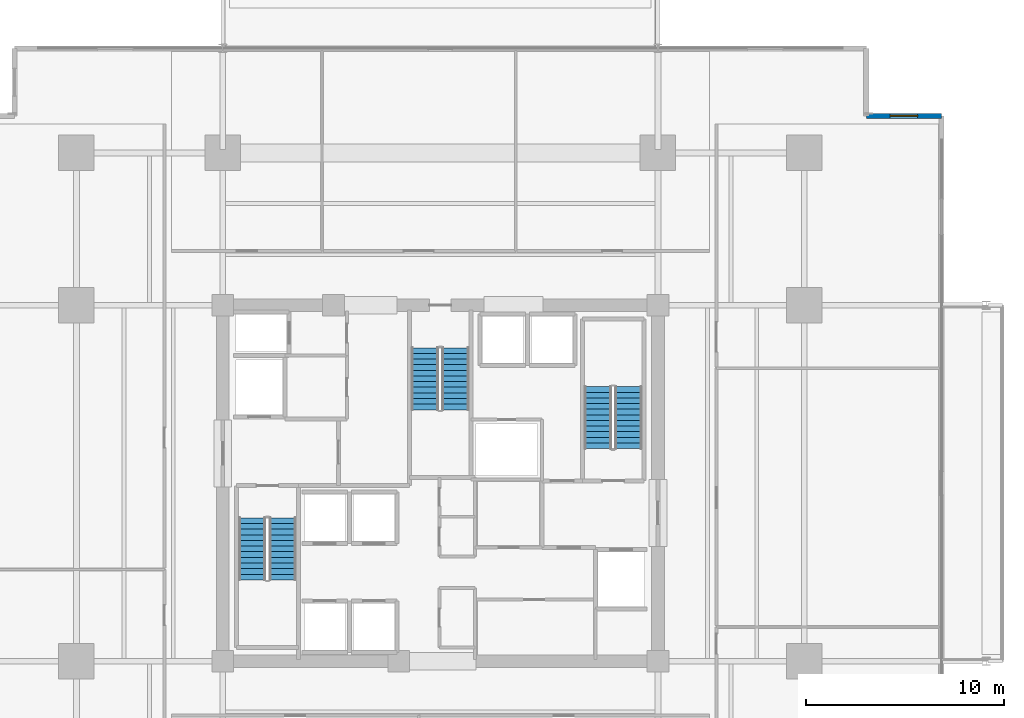
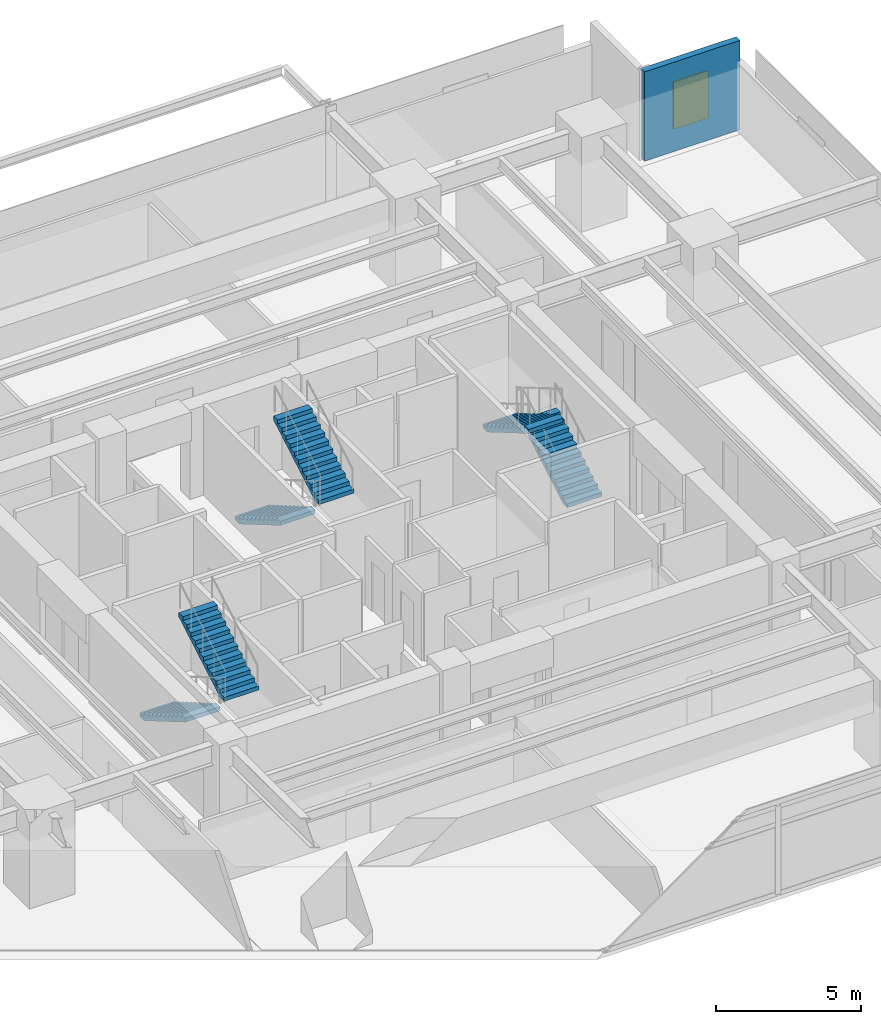
# One storey, part 18 of 22: 6 stair flights, 1 wall, 1 window, 1 opening, 3 elements without a shape of their own.
"""IFC4 building model written with IfcOpenShell, lengths in metres."""

import ifcopenshell
import ifcopenshell.guid

model = None  # the IFC model being written
_history = None  # IfcOwnerHistory: only IFC2X3 demands one
_inside = {}  # id of a spatial element -> (the spatial element, [elements in it])
_under = {}  # id of a project, library or spatial element -> (it, [spatial elements below it])
_declared = {}  # id of a project -> (the project, [libraries it declares])
_typed = {}  # id of a type object -> (the type object, [elements of that type])
_made_of = {}  # id of a material, layer set ... -> (it, [elements and type objects made of it])


def new_model(schema):
    """Start an empty IFC model of exactly this schema.

    Asked for "IFC4X3", IfcOpenShell would pick the latest addendum, in which some entities
    have other attributes; the version numbers below select the first issue.
    IFC2X3 requires an IfcOwnerHistory on every rooted entity: one is made here for all.
    """
    global model, _history
    if schema == "IFC4X3":
        model = ifcopenshell.file(schema_version=(4, 3, 0, 0))
    else:
        model = ifcopenshell.file(schema=schema)
    _inside.clear()
    _under.clear()
    _declared.clear()
    _typed.clear()
    _made_of.clear()
    _history = None
    if model.schema == "IFC2X3":
        org = make("IfcOrganization", Name="unknown")
        user = make(
            "IfcPersonAndOrganization",
            ThePerson=make("IfcPerson", FamilyName="unknown"),
            TheOrganization=org,
        )
        app = make(
            "IfcApplication",
            ApplicationDeveloper=org,
            Version="unknown",
            ApplicationFullName="unknown",
            ApplicationIdentifier="unknown",
        )
        _history = make(
            "IfcOwnerHistory",
            OwningUser=user,
            OwningApplication=app,
            ChangeAction="ADDED",
            CreationDate=0,
        )
    return model


def make(cls, **values):
    """One entity of the class cls with the attributes given. An attribute that is None is left unset."""
    return model.create_entity(
        cls, **{name: value for name, value in values.items() if value is not None}
    )


def rooted(cls, **values):
    """An entity with a GlobalId (a new one), such as an element, a storey or a relation."""
    return make(cls, GlobalId=ifcopenshell.guid.new(), OwnerHistory=_history, **values)


def si_unit(unit_type, name, prefix=None):
    """IfcSIUnit, for example si_unit("LENGTHUNIT", "METRE", prefix="MILLI")."""
    return make("IfcSIUnit", UnitType=unit_type, Prefix=prefix, Name=name)


def assignment(units):
    """IfcUnitAssignment: the units of a project."""
    return None if units is None else make("IfcUnitAssignment", Units=units)


def point(xyz):
    """IfcCartesianPoint."""
    return None if xyz is None else make("IfcCartesianPoint", Coordinates=xyz)


def direction(xyz):
    """IfcDirection."""
    return None if xyz is None else make("IfcDirection", DirectionRatios=xyz)


def frame(location, z_axis=None, x_axis=None):
    """IfcAxis2Placement3D, a coordinate frame: its origin and axes. An axis left out is left unset."""
    return make(
        "IfcAxis2Placement3D",
        Location=point(location),
        Axis=direction(z_axis),
        RefDirection=direction(x_axis),
    )


def frame_2d(location, x_axis=None):
    """IfcAxis2Placement2D, a coordinate frame in the plane: its origin and x axis."""
    return make(
        "IfcAxis2Placement2D", Location=point(location), RefDirection=direction(x_axis)
    )


def origin():
    """The frame at (0, 0, 0) with its axes left unset."""
    return frame((0.0, 0.0, 0.0))


def place(relative_to, where):
    """IfcLocalPlacement: puts the frame where relative to a parent placement (None: the world)."""
    return make(
        "IfcLocalPlacement", PlacementRelTo=relative_to, RelativePlacement=where
    )


def context(
    kind, dimensions, precision=None, world=None, true_north=None, identifier=None
):
    """IfcGeometricRepresentationContext, for example the 3D "Model" context."""
    return make(
        "IfcGeometricRepresentationContext",
        ContextIdentifier=identifier,
        ContextType=kind,
        CoordinateSpaceDimension=dimensions,
        Precision=precision,
        WorldCoordinateSystem=world,
        TrueNorth=true_north,
    )


def subcontext(parent, identifier, kind, view, scale=None):
    """IfcGeometricRepresentationSubContext, for example "Body" below "Model"."""
    return make(
        "IfcGeometricRepresentationSubContext",
        ContextIdentifier=identifier,
        ContextType=kind,
        ParentContext=parent,
        TargetScale=scale,
        TargetView=view,
    )


def project(units=None, contexts=None):
    """IfcProject with its units and contexts."""
    return rooted(
        "IfcProject",
        Name="project",
        RepresentationContexts=contexts,
        UnitsInContext=assignment(units),
    )


def spatial(cls, under=None, at=None, **own):
    """A site, building, storey or space (cls), placed at a placement, below another one or the project."""
    s = rooted(cls, ObjectPlacement=at, **own)
    if under is not None:
        _under.setdefault(under.id(), (under, []))[1].append(s)
    return s


def polyline(points):
    """IfcPolyline through the points."""
    return make("IfcPolyline", Points=[point(p) for p in points])


def profile(cls, at=None, kind="AREA", **sizes):
    """A parametric profile (cls). Its sizes go by their IFC names, for example OverallWidth=200.0."""
    return make(cls, ProfileType=kind, Position=at, **sizes)


def rectangle(**sizes):
    """IfcRectangleProfileDef."""
    return profile("IfcRectangleProfileDef", **sizes)


def outline(outer, holes=None, kind="AREA"):
    """IfcArbitraryClosedProfileDef: a profile drawn as a closed curve; with holes, ...WithVoids."""
    if holes is None:
        return make("IfcArbitraryClosedProfileDef", ProfileType=kind, OuterCurve=outer)
    return make(
        "IfcArbitraryProfileDefWithVoids",
        ProfileType=kind,
        OuterCurve=outer,
        InnerCurves=holes,
    )


def extrude(swept, where, along, depth):
    """IfcExtrudedAreaSolid: the profile swept, set in the frame where, extruded along a direction by depth."""
    return make(
        "IfcExtrudedAreaSolid",
        SweptArea=swept,
        Position=where,
        ExtrudedDirection=direction(along),
        Depth=depth,
    )


def shape(context_of_items, identifier, shape_type, items):
    """IfcShapeRepresentation: the items that make up one representation, for example the "Body"."""
    return make(
        "IfcShapeRepresentation",
        ContextOfItems=context_of_items,
        RepresentationIdentifier=identifier,
        RepresentationType=shape_type,
        Items=items,
    )


def material(Name=None, Category=None):
    """IfcMaterial."""
    return make("IfcMaterial", Name=Name, Category=Category)


def layer(
    of_material, thickness, ventilated=None, Name=None, Category=None, Priority=None
):
    """IfcMaterialLayer: one layer of a wall or slab, of a material (None: an air gap)."""
    return make(
        "IfcMaterialLayer",
        Material=of_material,
        LayerThickness=thickness,
        IsVentilated=ventilated,
        Name=Name,
        Category=Category,
        Priority=Priority,
    )


def layer_set(layers, Name=None):
    """IfcMaterialLayerSet."""
    return make("IfcMaterialLayerSet", MaterialLayers=layers, LayerSetName=Name)


def made_of(thing, what):
    """Note that an element or type object is made of a material, layer set ...; save() writes the relation."""
    if what is not None:
        _made_of.setdefault(what.id(), (what, []))[1].append(thing)
    return thing


def type_object(cls, material=None, **own):
    """A type object (cls), such as IfcWallType, which elements share."""
    return made_of(rooted(cls, **own), material)


def element(
    cls,
    number,
    at=None,
    inside=None,
    cuts=None,
    type_object=None,
    material=None,
    context=None,
    identifier="Body",
    shape_type=None,
    held_by="IfcProductDefinitionShape",
    body=None,
    shapes=None,
    **own,
):
    """One element of the class cls, such as IfcWall. Its Tag is "e" and its number.

    at: its placement. inside: the storey or other place that contains it. cuts: it is an
    opening in that element (IfcRelVoidsElement). A single representation is given by context,
    identifier, shape_type and body (its items); several are given by shapes. held_by: the class
    of the entity that holds the representations. save() writes the other relations.
    """
    e = rooted(cls, Tag="e%d" % number, ObjectPlacement=at, **own)
    if body is not None:
        shapes = [shape(context, identifier, shape_type, body)]
    if shapes is not None:
        e.Representation = make(held_by, Representations=shapes)
    if inside is not None:
        _inside.setdefault(inside.id(), (inside, []))[1].append(e)
    if cuts is not None:
        rooted(
            "IfcRelVoidsElement", RelatingBuildingElement=cuts, RelatedOpeningElement=e
        )
    if type_object is not None:
        _typed.setdefault(type_object.id(), (type_object, []))[1].append(e)
    return made_of(e, material)


def fill(opening, filler):
    """IfcRelFillsElement: the door or window that sits in an opening."""
    return rooted(
        "IfcRelFillsElement",
        RelatingOpeningElement=opening,
        RelatedBuildingElement=filler,
    )


def aggregate(whole, parts):
    """IfcRelAggregates: a whole, such as a stair, and the parts it consists of."""
    return rooted("IfcRelAggregates", RelatingObject=whole, RelatedObjects=parts)


def save(model, path):
    """Write the relations noted so far, then the file.

    IfcRelAggregates (storeys below a building ...), IfcRelContainedInSpatialStructure (elements
    in a storey), IfcRelDefinesByType, IfcRelAssociatesMaterial and IfcRelDeclares: one each for
    every whole, place, type object, material and project.
    """
    for whole, parts in _under.values():
        aggregate(whole, parts)
    for where, things in _inside.values():
        rooted(
            "IfcRelContainedInSpatialStructure",
            RelatedElements=things,
            RelatingStructure=where,
        )
    for kind, things in _typed.values():
        rooted("IfcRelDefinesByType", RelatedObjects=things, RelatingType=kind)
    for what, things in _made_of.values():
        rooted("IfcRelAssociatesMaterial", RelatedObjects=things, RelatingMaterial=what)
    for by, libraries in _declared.values():
        rooted("IfcRelDeclares", RelatingContext=by, RelatedDefinitions=libraries)
    model.write(path)


model = new_model("IFC4")

# Units and contexts
model_context = context("Model", 3, precision=1e-05, world=origin(), true_north=direction((0.0, 1.0)))
body_context = subcontext(model_context, "Body", "Model", "MODEL_VIEW")
ifc_project = project(units=[si_unit("LENGTHUNIT", "METRE"), si_unit("AREAUNIT", "SQUARE_METRE"), si_unit("VOLUMEUNIT", "CUBIC_METRE"), si_unit("PLANEANGLEUNIT", "RADIAN"), si_unit("MASSUNIT", "GRAM", prefix="KILO")], contexts=[model_context])

# Site, building, storey
site_placement = place(None, origin())
site = spatial("IfcSite", under=ifc_project, at=site_placement, CompositionType="ELEMENT")
building_placement = place(site_placement, origin())
building = spatial("IfcBuilding", under=site, at=building_placement, Name="Kovane Verandah Tower", CompositionType="ELEMENT")
storey_placement = place(building_placement, frame((0.0, 0.0, 43.60009765625)))
storey = spatial("IfcBuildingStorey", under=building, at=storey_placement, Name="L09", CompositionType="ELEMENT", Elevation=43.60009765625)

# Wall, opening, window
ifc_material_1 = material(Name="Concrete C45/55 Insulated Spandrel Wall", Category="concrete")
ifc_layer = layer(ifc_material_1, 0.260009765625)
ifc_layer_set = layer_set([ifc_layer], Name="Concrete C45/55 Insulated Spandrel Wall")
wall_type = type_object("IfcWallType", Name="WL-SPANDREL-260", PredefinedType="PARAPET", material=ifc_layer_set)
wall_placement = place(storey_placement, frame((65.3330078125, 46.072998046875, 0.0), z_axis=(0.0, 0.0, 1.0), x_axis=(-1.0, 0.0, 0.0)))
wall = element("IfcWall", 1, at=wall_placement, inside=storey, type_object=wall_type, Name="L09 NE Notch Cheek Wall 1", PredefinedType="PARAPET", context=body_context, shape_type="SweptSolid", body=[
    extrude(rectangle(XDim=3.800048828125, YDim=0.260009765625, at=frame_2d((1.89990234375, 0.0))), origin(), (0.0, 0.0, 1.0), 3.760009765625),
])
opening_placement = place(wall_placement, frame((1.199951171875, 0.0, 0.85009765625)))
opening = element("IfcOpeningElement", 2, at=opening_placement, cuts=wall, Name="Opening W-01", PredefinedType="OPENING", context=body_context, shape_type="SweptSolid", body=[
    extrude(rectangle(XDim=1.39990234375, YDim=2.0, at=frame_2d((0.699951171875, 1.0))), frame((0.0, 0.1298828125, 0.0), z_axis=(0.0, -1.0, 0.0), x_axis=(1.0, 0.0, 0.0)), (0.0, 0.0, 1.0), 0.260009765625),
])
ifc_material_2 = material(Name="Clear Low-E Laminated Double Glazing in Anodised Frame", Category="glass")
window_type = type_object("IfcWindowType", Name="WN-OPER-1400x2000", PartitioningType="SINGLE_PANEL", PredefinedType="WINDOW", material=ifc_material_2)
window_placement = place(opening_placement, origin())
window = element("IfcWindow", 3, at=window_placement, inside=storey, type_object=window_type, Name="L09 NE Re-Entrant Corner Operable Window", OverallHeight=2.0, OverallWidth=1.39990234375, PartitioningType="SINGLE_PANEL", PredefinedType="WINDOW", context=body_context, shape_type="SweptSolid", body=[
    extrude(rectangle(XDim=1.39990234375, YDim=2.0, at=frame_2d((0.699951171875, 1.0))), frame((0.0, 0.030029296875, 0.0), z_axis=(0.0, -1.0, 0.0), x_axis=(1.0, 0.0, 0.0)), (0.0, 0.0, 1.0), 0.06005859375),
])
fill(opening, window)

# Stair, stair flights
ifc_material_3 = material(Name="Concrete C45/55", Category="concrete")
stair_type = type_object("IfcStairType", Name="ST-CORE-1380", PredefinedType="HALF_TURN_STAIR", material=ifc_material_3)
stair_1_placement = place(storey_placement, origin())
stair_1 = element("IfcStair", 4, at=stair_1_placement, inside=storey, type_object=stair_type, Name="L09 Exit Stair ST-01", PredefinedType="HALF_TURN_STAIR")
stair_flight_type = type_object("IfcStairFlightType", Name="STF-CORE-1380", PredefinedType="STRAIGHT", material=ifc_material_3)
stair_flight_1_placement = place(storey_placement, frame((30.489990234375, 25.75, 0.0), z_axis=(0.0, 0.0, 1.0), x_axis=(0.0, -1.0, 0.0)))
stair_flight_1 = element("IfcStairFlight", 5, at=stair_flight_1_placement, type_object=stair_flight_type, Name="ST-01 flight 1", NumberOfRisers=12, NumberOfTreads=11, PredefinedType="STRAIGHT", RiserHeight=0.166666667, TreadLength=0.285, context=body_context, shape_type="SweptSolid", body=[
    extrude(outline(polyline([(0.0, 0.0), (0.0, 0.166748046875), (0.284912109375, 0.166748046875), (0.284912109375, 0.333251953125), (0.570068359375, 0.333251953125), (0.570068359375, 0.5), (0.85498046875, 0.5), (0.85498046875, 0.666748046875), (1.139892578125, 0.666748046875), (1.139892578125, 0.833251953125), (1.425048828125, 0.833251953125), (1.425048828125, 1.0), (1.7099609375, 1.0), (1.7099609375, 1.166748046875), (1.9951171875, 1.166748046875), (1.9951171875, 1.333251953125), (2.280029296875, 1.333251953125), (2.280029296875, 1.5), (2.56494140625, 1.5), (2.56494140625, 1.666748046875), (2.85009765625, 1.666748046875), (2.85009765625, 1.833251953125), (3.135009765625, 1.833251953125), (3.135009765625, 2.0), (3.135009765625, 1.65966796875), (0.296875, 0.0), (0.0, 0.0)])), frame((0.0, 0.68994140625, 0.0), z_axis=(0.0, -1.0, 0.0), x_axis=(1.0, 0.0, 0.0)), (0.0, 0.0, 1.0), 1.3798828125),
])
stair_flight_2_placement = place(storey_placement, frame((32.030029296875, 22.614990234375, 2.0), z_axis=(0.0, 0.0, 1.0), x_axis=(0.0, 1.0, 0.0)))
stair_flight_2 = element("IfcStairFlight", 6, at=stair_flight_2_placement, type_object=stair_flight_type, Name="ST-01 flight 2", NumberOfRisers=12, NumberOfTreads=11, PredefinedType="STRAIGHT", RiserHeight=0.166666667, TreadLength=0.285, context=body_context, shape_type="SweptSolid", body=[
    extrude(outline(polyline([(0.0, 0.0), (0.0, 0.166748046875), (0.284912109375, 0.166748046875), (0.284912109375, 0.333251953125), (0.570068359375, 0.333251953125), (0.570068359375, 0.5), (0.85498046875, 0.5), (0.85498046875, 0.666748046875), (1.139892578125, 0.666748046875), (1.139892578125, 0.833251953125), (1.425048828125, 0.833251953125), (1.425048828125, 1.0), (1.7099609375, 1.0), (1.7099609375, 1.166748046875), (1.9951171875, 1.166748046875), (1.9951171875, 1.333251953125), (2.280029296875, 1.333251953125), (2.280029296875, 1.5), (2.56494140625, 1.5), (2.56494140625, 1.666748046875), (2.85009765625, 1.666748046875), (2.85009765625, 1.833251953125), (3.135009765625, 1.833251953125), (3.135009765625, 2.0), (3.135009765625, 1.65966796875), (0.296875, 0.0), (0.0, 0.0)])), frame((0.0, 0.68994140625, 0.0), z_axis=(0.0, -1.0, 0.0), x_axis=(1.0, 0.0, 0.0)), (0.0, 0.0, 1.0), 1.3798828125),
])
aggregate(stair_1, [stair_flight_1, stair_flight_2])

stair_2_placement = place(storey_placement, origin())
stair_2 = element("IfcStair", 7, at=stair_2_placement, inside=storey, type_object=stair_type, Name="L09 Exit Stair ST-02", PredefinedType="HALF_TURN_STAIR")
stair_flight_3_placement = place(storey_placement, frame((49.510009765625, 29.25, 0.0), z_axis=(0.0, 0.0, 1.0), x_axis=(0.0, 1.0, 0.0)))
stair_flight_3 = element("IfcStairFlight", 8, at=stair_flight_3_placement, type_object=stair_flight_type, Name="ST-02 flight 1", NumberOfRisers=12, NumberOfTreads=11, PredefinedType="STRAIGHT", RiserHeight=0.166666667, TreadLength=0.285, context=body_context, shape_type="SweptSolid", body=[
    extrude(outline(polyline([(0.0, 0.0), (0.0, 0.166748046875), (0.284912109375, 0.166748046875), (0.284912109375, 0.333251953125), (0.570068359375, 0.333251953125), (0.570068359375, 0.5), (0.85498046875, 0.5), (0.85498046875, 0.666748046875), (1.139892578125, 0.666748046875), (1.139892578125, 0.833251953125), (1.425048828125, 0.833251953125), (1.425048828125, 1.0), (1.7099609375, 1.0), (1.7099609375, 1.166748046875), (1.9951171875, 1.166748046875), (1.9951171875, 1.333251953125), (2.280029296875, 1.333251953125), (2.280029296875, 1.5), (2.56494140625, 1.5), (2.56494140625, 1.666748046875), (2.85009765625, 1.666748046875), (2.85009765625, 1.833251953125), (3.135009765625, 1.833251953125), (3.135009765625, 2.0), (3.135009765625, 1.65966796875), (0.296875, 0.0), (0.0, 0.0)])), frame((0.0, 0.68994140625, 0.0), z_axis=(0.0, -1.0, 0.0), x_axis=(1.0, 0.0, 0.0)), (0.0, 0.0, 1.0), 1.3798828125),
])
stair_flight_4_placement = place(storey_placement, frame((47.969970703125, 32.385009765625, 2.0), z_axis=(0.0, 0.0, 1.0), x_axis=(0.0, -1.0, 0.0)))
stair_flight_4 = element("IfcStairFlight", 9, at=stair_flight_4_placement, type_object=stair_flight_type, Name="ST-02 flight 2", NumberOfRisers=12, NumberOfTreads=11, PredefinedType="STRAIGHT", RiserHeight=0.166666667, TreadLength=0.285, context=body_context, shape_type="SweptSolid", body=[
    extrude(outline(polyline([(0.0, 0.0), (0.0, 0.166748046875), (0.284912109375, 0.166748046875), (0.284912109375, 0.333251953125), (0.570068359375, 0.333251953125), (0.570068359375, 0.5), (0.85498046875, 0.5), (0.85498046875, 0.666748046875), (1.139892578125, 0.666748046875), (1.139892578125, 0.833251953125), (1.425048828125, 0.833251953125), (1.425048828125, 1.0), (1.7099609375, 1.0), (1.7099609375, 1.166748046875), (1.9951171875, 1.166748046875), (1.9951171875, 1.333251953125), (2.280029296875, 1.333251953125), (2.280029296875, 1.5), (2.56494140625, 1.5), (2.56494140625, 1.666748046875), (2.85009765625, 1.666748046875), (2.85009765625, 1.833251953125), (3.135009765625, 1.833251953125), (3.135009765625, 2.0), (3.135009765625, 1.65966796875), (0.296875, 0.0), (0.0, 0.0)])), frame((0.0, 0.68994140625, 0.0), z_axis=(0.0, -1.0, 0.0), x_axis=(1.0, 0.0, 0.0)), (0.0, 0.0, 1.0), 1.3798828125),
])
aggregate(stair_2, [stair_flight_3, stair_flight_4])

stair_3_placement = place(storey_placement, origin())
stair_3 = element("IfcStair", 10, at=stair_3_placement, inside=storey, type_object=stair_type, Name="L09 Exit Stair ST-03", PredefinedType="HALF_TURN_STAIR")
stair_flight_5_placement = place(storey_placement, frame((39.22998046875, 34.35009765625, 0.0), z_axis=(0.0, 0.0, 1.0), x_axis=(0.0, -1.0, 0.0)))
stair_flight_5 = element("IfcStairFlight", 11, at=stair_flight_5_placement, type_object=stair_flight_type, Name="ST-03 flight 1", NumberOfRisers=12, NumberOfTreads=11, PredefinedType="STRAIGHT", RiserHeight=0.166666667, TreadLength=0.285, context=body_context, shape_type="SweptSolid", body=[
    extrude(outline(polyline([(0.0, 0.0), (0.0, 0.166748046875), (0.284912109375, 0.166748046875), (0.284912109375, 0.333251953125), (0.570068359375, 0.333251953125), (0.570068359375, 0.5), (0.85498046875, 0.5), (0.85498046875, 0.666748046875), (1.139892578125, 0.666748046875), (1.139892578125, 0.833251953125), (1.425048828125, 0.833251953125), (1.425048828125, 1.0), (1.7099609375, 1.0), (1.7099609375, 1.166748046875), (1.9951171875, 1.166748046875), (1.9951171875, 1.333251953125), (2.280029296875, 1.333251953125), (2.280029296875, 1.5), (2.56494140625, 1.5), (2.56494140625, 1.666748046875), (2.85009765625, 1.666748046875), (2.85009765625, 1.833251953125), (3.135009765625, 1.833251953125), (3.135009765625, 2.0), (3.135009765625, 1.65966796875), (0.296875, 0.0), (0.0, 0.0)])), frame((0.0, 0.68994140625, 0.0), z_axis=(0.0, -1.0, 0.0), x_axis=(1.0, 0.0, 0.0)), (0.0, 0.0, 1.0), 1.3798828125),
])
stair_flight_6_placement = place(storey_placement, frame((40.77001953125, 31.215087890625, 2.0), z_axis=(0.0, 0.0, 1.0), x_axis=(0.0, 1.0, 0.0)))
stair_flight_6 = element("IfcStairFlight", 12, at=stair_flight_6_placement, type_object=stair_flight_type, Name="ST-03 flight 2", NumberOfRisers=12, NumberOfTreads=11, PredefinedType="STRAIGHT", RiserHeight=0.166666667, TreadLength=0.285, context=body_context, shape_type="SweptSolid", body=[
    extrude(outline(polyline([(0.0, 0.0), (0.0, 0.166748046875), (0.284912109375, 0.166748046875), (0.284912109375, 0.333251953125), (0.570068359375, 0.333251953125), (0.570068359375, 0.5), (0.85498046875, 0.5), (0.85498046875, 0.666748046875), (1.139892578125, 0.666748046875), (1.139892578125, 0.833251953125), (1.425048828125, 0.833251953125), (1.425048828125, 1.0), (1.7099609375, 1.0), (1.7099609375, 1.166748046875), (1.9951171875, 1.166748046875), (1.9951171875, 1.333251953125), (2.280029296875, 1.333251953125), (2.280029296875, 1.5), (2.56494140625, 1.5), (2.56494140625, 1.666748046875), (2.85009765625, 1.666748046875), (2.85009765625, 1.833251953125), (3.135009765625, 1.833251953125), (3.135009765625, 2.0), (3.135009765625, 1.65966796875), (0.296875, 0.0), (0.0, 0.0)])), frame((0.0, 0.68994140625, 0.0), z_axis=(0.0, -1.0, 0.0), x_axis=(1.0, 0.0, 0.0)), (0.0, 0.0, 1.0), 1.3798828125),
])
aggregate(stair_3, [stair_flight_5, stair_flight_6])

save(model, "model.ifc")
